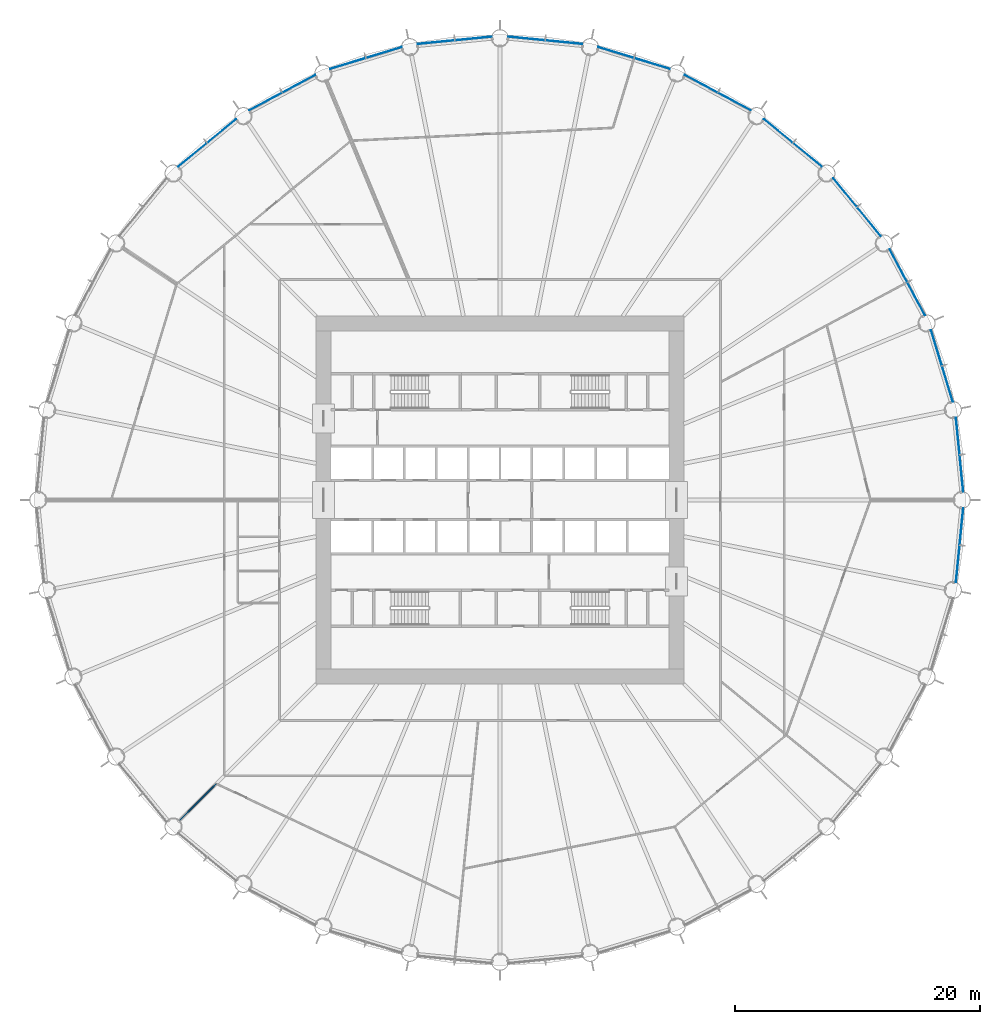
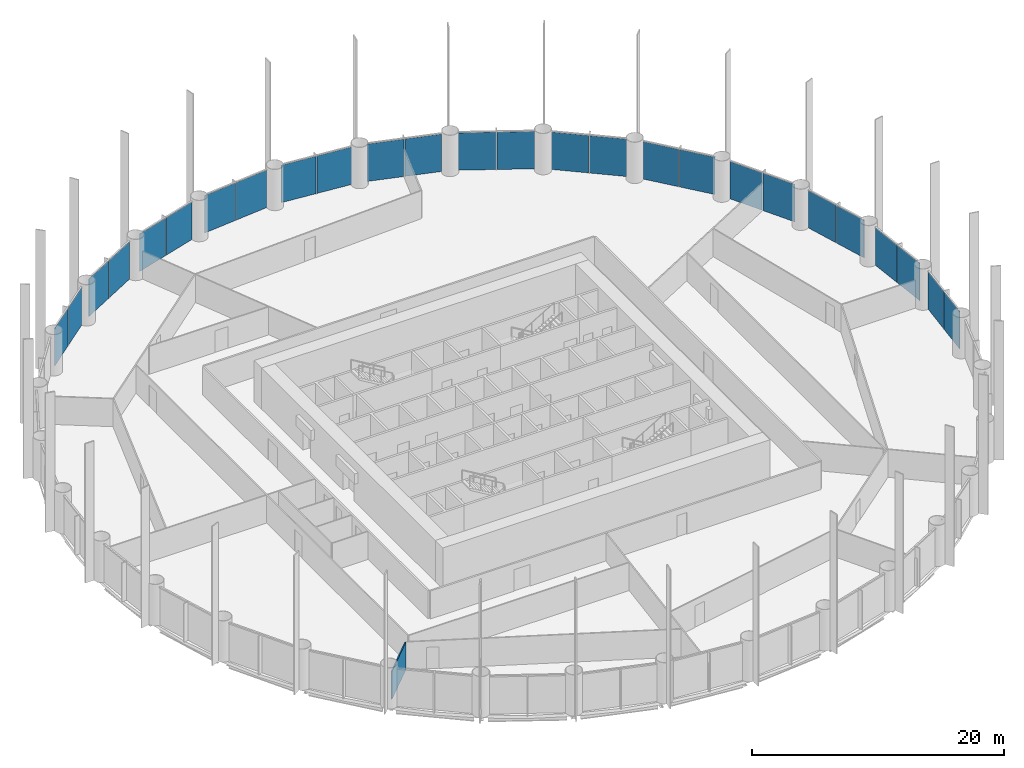
# One storey, part 8 of 14: 26 plates, 1 wall, 13 elements without a shape of their own.
"""IFC4 building model written with IfcOpenShell, lengths in metres."""

from ifc_helpers import new_model, si_unit, direction, frame, frame_2d, origin, origin_2d, place, context, subcontext, project, spatial, rectangle, extrude, material, layer, layer_set, type_object, element, aggregate, save


model = new_model("IFC4")

# Units and contexts
model_context = context("Model", 3, precision=1e-05, world=origin(), true_north=direction((0.0, 1.0)))
body_context = subcontext(model_context, "Body", "Model", "MODEL_VIEW")
ifc_project = project(units=[si_unit("LENGTHUNIT", "METRE"), si_unit("AREAUNIT", "SQUARE_METRE"), si_unit("VOLUMEUNIT", "CUBIC_METRE"), si_unit("PLANEANGLEUNIT", "RADIAN"), si_unit("MASSUNIT", "GRAM", prefix="KILO")], contexts=[model_context])

# Site, building, storey
site_placement = place(None, origin())
site = spatial("IfcSite", under=ifc_project, at=site_placement, CompositionType="ELEMENT")
building_placement = place(site_placement, origin())
building = spatial("IfcBuilding", under=site, at=building_placement, Name="Corvane Civic Tower", CompositionType="ELEMENT")
storey_placement = place(building_placement, frame((0.0, 0.0, 77.0)))
storey = spatial("IfcBuildingStorey", under=building, at=storey_placement, Name="L17", CompositionType="ELEMENT", Elevation=77.0)

# Curtain wall, plates
ifc_material_1 = material(Name="Anodised aluminium bronze", Category="aluminium")
curtain_wall_type = type_object("IfcCurtainWallType", Name="TOWER CW-T1 STICK CURTAIN WALL", PredefinedType="NOTDEFINED", material=ifc_material_1)
curtain_wall_1_placement = place(storey_placement, origin())
curtain_wall_1 = element("IfcCurtainWall", 1, at=curtain_wall_1_placement, inside=storey, type_object=curtain_wall_type, Name="Curtain wall CW-T1 L17 bay 01", PredefinedType="NOTDEFINED")
ifc_material_2 = material(Name="Tinted glass", Category="glass")
ifc_layer_1 = layer(ifc_material_2, 0.035888671875)
ifc_layer_set_1 = layer_set([ifc_layer_1], Name="Tinted glass")
plate_type = type_object("IfcPlateType", Name="TOWER CW-T1 PANEL IGU36", PredefinedType="CURTAIN_PANEL", material=ifc_layer_set_1)
plate_1_placement = place(storey_placement, frame((2.158203125, 37.667236328125, 0.0), z_axis=(0.0, 0.0, 1.0), x_axis=(0.995185800248, -0.098006239521, 0.0)))
plate_1 = element("IfcPlate", 2, at=plate_1_placement, type_object=plate_type, Name="Glass panel CW-T1 L17 01.1", PredefinedType="CURTAIN_PANEL", context=body_context, shape_type="SweptSolid", body=[
    extrude(rectangle(XDim=3.008544921875, YDim=0.035888671875, at=origin_2d()), origin(), (0.0, 0.0, 1.0), 3.6298828125),
])
plate_2_placement = place(storey_placement, frame((5.23193359375, 37.36474609375, 0.0), z_axis=(0.0, 0.0, 1.0), x_axis=(0.995185800248, -0.098006239521, 0.0)))
plate_2 = element("IfcPlate", 3, at=plate_2_placement, type_object=plate_type, Name="Glass panel CW-T1 L17 01.2", PredefinedType="CURTAIN_PANEL", context=body_context, shape_type="SweptSolid", body=[
    extrude(rectangle(XDim=3.008544921875, YDim=0.035888671875, at=origin_2d()), origin(), (0.0, 0.0, 1.0), 3.6298828125),
])
aggregate(curtain_wall_1, [plate_1, plate_2])

curtain_wall_2_placement = place(storey_placement, origin())
curtain_wall_2 = element("IfcCurtainWall", 4, at=curtain_wall_2_placement, inside=storey, type_object=curtain_wall_type, Name="Curtain wall CW-T1 L17 bay 02", PredefinedType="NOTDEFINED")
plate_3_placement = place(storey_placement, frame((9.46533203125, 36.522705078125, 0.0), z_axis=(0.0, 0.0, 1.0), x_axis=(0.956942240606, -0.290278397654, 0.0)))
plate_3 = element("IfcPlate", 5, at=plate_3_placement, type_object=plate_type, Name="Glass panel CW-T1 L17 02.1", PredefinedType="CURTAIN_PANEL", context=body_context, shape_type="SweptSolid", body=[
    extrude(rectangle(XDim=3.008544921875, YDim=0.035888671875, at=origin_2d()), origin(), (0.0, 0.0, 1.0), 3.6298828125),
])
plate_4_placement = place(storey_placement, frame((12.4208984375, 35.6259765625, 0.0), z_axis=(0.0, 0.0, 1.0), x_axis=(0.956942240606, -0.290278397654, 0.0)))
plate_4 = element("IfcPlate", 6, at=plate_4_placement, type_object=plate_type, Name="Glass panel CW-T1 L17 02.2", PredefinedType="CURTAIN_PANEL", context=body_context, shape_type="SweptSolid", body=[
    extrude(rectangle(XDim=3.008544921875, YDim=0.035888671875, at=origin_2d()), origin(), (0.0, 0.0, 1.0), 3.6298828125),
])
aggregate(curtain_wall_2, [plate_3, plate_4])

curtain_wall_3_placement = place(storey_placement, origin())
curtain_wall_3 = element("IfcCurtainWall", 7, at=curtain_wall_3_placement, inside=storey, type_object=curtain_wall_type, Name="Curtain wall CW-T1 L17 bay 03", PredefinedType="NOTDEFINED")
plate_5_placement = place(storey_placement, frame((16.40869140625, 33.974365234375, 0.0), z_axis=(0.0, 0.0, 1.0), x_axis=(0.881917528864, -0.471403725359, 0.0)))
plate_5 = element("IfcPlate", 8, at=plate_5_placement, type_object=plate_type, Name="Glass panel CW-T1 L17 03.1", PredefinedType="CURTAIN_PANEL", context=body_context, shape_type="SweptSolid", body=[
    extrude(rectangle(XDim=3.008544921875, YDim=0.035888671875, at=origin_2d()), origin(), (0.0, 0.0, 1.0), 3.6298828125),
])
plate_6_placement = place(storey_placement, frame((19.132568359375, 32.518310546875, 0.0), z_axis=(0.0, 0.0, 1.0), x_axis=(0.881917528864, -0.471403725359, 0.0)))
plate_6 = element("IfcPlate", 9, at=plate_6_placement, type_object=plate_type, Name="Glass panel CW-T1 L17 03.2", PredefinedType="CURTAIN_PANEL", context=body_context, shape_type="SweptSolid", body=[
    extrude(rectangle(XDim=3.008544921875, YDim=0.035888671875, at=origin_2d()), origin(), (0.0, 0.0, 1.0), 3.6298828125),
])
aggregate(curtain_wall_3, [plate_5, plate_6])

curtain_wall_4_placement = place(storey_placement, origin())
curtain_wall_4 = element("IfcCurtainWall", 10, at=curtain_wall_4_placement, inside=storey, type_object=curtain_wall_type, Name="Curtain wall CW-T1 L17 bay 04", PredefinedType="NOTDEFINED")
plate_7_placement = place(storey_placement, frame((22.721435546875, 30.120361328125, 0.0), z_axis=(0.0, 0.0, 1.0), x_axis=(0.773007224463, -0.634397218569, 0.0)))
plate_7 = element("IfcPlate", 11, at=plate_7_placement, type_object=plate_type, Name="Glass panel CW-T1 L17 04.1", PredefinedType="CURTAIN_PANEL", context=body_context, shape_type="SweptSolid", body=[
    extrude(rectangle(XDim=3.008544921875, YDim=0.035888671875, at=origin_2d()), origin(), (0.0, 0.0, 1.0), 3.6298828125),
])
plate_8_placement = place(storey_placement, frame((25.10888671875, 28.160888671875, 0.0), z_axis=(0.0, 0.0, 1.0), x_axis=(0.773007224463, -0.634397218569, 0.0)))
plate_8 = element("IfcPlate", 12, at=plate_8_placement, type_object=plate_type, Name="Glass panel CW-T1 L17 04.2", PredefinedType="CURTAIN_PANEL", context=body_context, shape_type="SweptSolid", body=[
    extrude(rectangle(XDim=3.008544921875, YDim=0.035888671875, at=origin_2d()), origin(), (0.0, 0.0, 1.0), 3.6298828125),
])
aggregate(curtain_wall_4, [plate_7, plate_8])

curtain_wall_5_placement = place(storey_placement, origin())
curtain_wall_5 = element("IfcCurtainWall", 13, at=curtain_wall_5_placement, inside=storey, type_object=curtain_wall_type, Name="Curtain wall CW-T1 L17 bay 05", PredefinedType="NOTDEFINED")
plate_9_placement = place(storey_placement, frame((28.160888671875, 25.10888671875, 0.0), z_axis=(0.0, 0.0, 1.0), x_axis=(0.634397218569, -0.773007224463, 0.0)))
plate_9 = element("IfcPlate", 14, at=plate_9_placement, type_object=plate_type, Name="Glass panel CW-T1 L17 05.1", PredefinedType="CURTAIN_PANEL", context=body_context, shape_type="SweptSolid", body=[
    extrude(rectangle(XDim=3.008544921875, YDim=0.035888671875, at=origin_2d()), origin(), (0.0, 0.0, 1.0), 3.6298828125),
])
plate_10_placement = place(storey_placement, frame((30.120361328125, 22.721435546875, 0.0), z_axis=(0.0, 0.0, 1.0), x_axis=(0.634397218569, -0.773007224463, 0.0)))
plate_10 = element("IfcPlate", 15, at=plate_10_placement, type_object=plate_type, Name="Glass panel CW-T1 L17 05.2", PredefinedType="CURTAIN_PANEL", context=body_context, shape_type="SweptSolid", body=[
    extrude(rectangle(XDim=3.008544921875, YDim=0.035888671875, at=origin_2d()), origin(), (0.0, 0.0, 1.0), 3.6298828125),
])
aggregate(curtain_wall_5, [plate_9, plate_10])

curtain_wall_6_placement = place(storey_placement, origin())
curtain_wall_6 = element("IfcCurtainWall", 16, at=curtain_wall_6_placement, inside=storey, type_object=curtain_wall_type, Name="Curtain wall CW-T1 L17 bay 06", PredefinedType="NOTDEFINED")
plate_11_placement = place(storey_placement, frame((32.518310546875, 19.132568359375, 0.0), z_axis=(0.0, 0.0, 1.0), x_axis=(0.471403725359, -0.881917528864, 0.0)))
plate_11 = element("IfcPlate", 17, at=plate_11_placement, type_object=plate_type, Name="Glass panel CW-T1 L17 06.1", PredefinedType="CURTAIN_PANEL", context=body_context, shape_type="SweptSolid", body=[
    extrude(rectangle(XDim=3.008544921875, YDim=0.035888671875, at=origin_2d()), origin(), (0.0, 0.0, 1.0), 3.6298828125),
])
plate_12_placement = place(storey_placement, frame((33.974365234375, 16.40869140625, 0.0), z_axis=(0.0, 0.0, 1.0), x_axis=(0.471403725359, -0.881917528864, 0.0)))
plate_12 = element("IfcPlate", 18, at=plate_12_placement, type_object=plate_type, Name="Glass panel CW-T1 L17 06.2", PredefinedType="CURTAIN_PANEL", context=body_context, shape_type="SweptSolid", body=[
    extrude(rectangle(XDim=3.008544921875, YDim=0.035888671875, at=origin_2d()), origin(), (0.0, 0.0, 1.0), 3.6298828125),
])
aggregate(curtain_wall_6, [plate_11, plate_12])

curtain_wall_7_placement = place(storey_placement, origin())
curtain_wall_7 = element("IfcCurtainWall", 19, at=curtain_wall_7_placement, inside=storey, type_object=curtain_wall_type, Name="Curtain wall CW-T1 L17 bay 07", PredefinedType="NOTDEFINED")
plate_13_placement = place(storey_placement, frame((35.6259765625, 12.4208984375, 0.0), z_axis=(0.0, 0.0, 1.0), x_axis=(0.290278397654, -0.956942240606, 0.0)))
plate_13 = element("IfcPlate", 20, at=plate_13_placement, type_object=plate_type, Name="Glass panel CW-T1 L17 07.1", PredefinedType="CURTAIN_PANEL", context=body_context, shape_type="SweptSolid", body=[
    extrude(rectangle(XDim=3.008544921875, YDim=0.035888671875, at=origin_2d()), origin(), (0.0, 0.0, 1.0), 3.6298828125),
])
plate_14_placement = place(storey_placement, frame((36.522705078125, 9.46533203125, 0.0), z_axis=(0.0, 0.0, 1.0), x_axis=(0.290278397654, -0.956942240606, 0.0)))
plate_14 = element("IfcPlate", 21, at=plate_14_placement, type_object=plate_type, Name="Glass panel CW-T1 L17 07.2", PredefinedType="CURTAIN_PANEL", context=body_context, shape_type="SweptSolid", body=[
    extrude(rectangle(XDim=3.008544921875, YDim=0.035888671875, at=origin_2d()), origin(), (0.0, 0.0, 1.0), 3.6298828125),
])
aggregate(curtain_wall_7, [plate_13, plate_14])

curtain_wall_8_placement = place(storey_placement, origin())
curtain_wall_8 = element("IfcCurtainWall", 22, at=curtain_wall_8_placement, inside=storey, type_object=curtain_wall_type, Name="Curtain wall CW-T1 L17 bay 08", PredefinedType="NOTDEFINED")
plate_15_placement = place(storey_placement, frame((37.36474609375, 5.23193359375, 0.0), z_axis=(0.0, 0.0, 1.0), x_axis=(0.098006239521, -0.995185800248, 0.0)))
plate_15 = element("IfcPlate", 23, at=plate_15_placement, type_object=plate_type, Name="Glass panel CW-T1 L17 08.1", PredefinedType="CURTAIN_PANEL", context=body_context, shape_type="SweptSolid", body=[
    extrude(rectangle(XDim=3.008544921875, YDim=0.035888671875, at=origin_2d()), origin(), (0.0, 0.0, 1.0), 3.6298828125),
])
plate_16_placement = place(storey_placement, frame((37.667236328125, 2.158203125, 0.0), z_axis=(0.0, 0.0, 1.0), x_axis=(0.098006239521, -0.995185800248, 0.0)))
plate_16 = element("IfcPlate", 24, at=plate_16_placement, type_object=plate_type, Name="Glass panel CW-T1 L17 08.2", PredefinedType="CURTAIN_PANEL", context=body_context, shape_type="SweptSolid", body=[
    extrude(rectangle(XDim=3.008544921875, YDim=0.035888671875, at=origin_2d()), origin(), (0.0, 0.0, 1.0), 3.6298828125),
])
aggregate(curtain_wall_8, [plate_15, plate_16])

curtain_wall_9_placement = place(storey_placement, origin())
curtain_wall_9 = element("IfcCurtainWall", 25, at=curtain_wall_9_placement, inside=storey, type_object=curtain_wall_type, Name="Curtain wall CW-T1 L17 bay 09", PredefinedType="NOTDEFINED")
plate_17_placement = place(storey_placement, frame((37.667236328125, -2.158203125, 0.0), z_axis=(0.0, 0.0, 1.0), x_axis=(-0.098006239521, -0.995185800248, 0.0)))
plate_17 = element("IfcPlate", 26, at=plate_17_placement, type_object=plate_type, Name="Glass panel CW-T1 L17 09.1", PredefinedType="CURTAIN_PANEL", context=body_context, shape_type="SweptSolid", body=[
    extrude(rectangle(XDim=3.008544921875, YDim=0.035888671875, at=origin_2d()), origin(), (0.0, 0.0, 1.0), 3.6298828125),
])
plate_18_placement = place(storey_placement, frame((37.36474609375, -5.23193359375, 0.0), z_axis=(0.0, 0.0, 1.0), x_axis=(-0.098006239521, -0.995185800248, 0.0)))
plate_18 = element("IfcPlate", 27, at=plate_18_placement, type_object=plate_type, Name="Glass panel CW-T1 L17 09.2", PredefinedType="CURTAIN_PANEL", context=body_context, shape_type="SweptSolid", body=[
    extrude(rectangle(XDim=3.008544921875, YDim=0.035888671875, at=origin_2d()), origin(), (0.0, 0.0, 1.0), 3.6298828125),
])
aggregate(curtain_wall_9, [plate_17, plate_18])

curtain_wall_10_placement = place(storey_placement, origin())
curtain_wall_10 = element("IfcCurtainWall", 28, at=curtain_wall_10_placement, inside=storey, type_object=curtain_wall_type, Name="Curtain wall CW-T1 L17 bay 29", PredefinedType="NOTDEFINED")
plate_19_placement = place(storey_placement, frame((-25.10888671875, 28.160888671875, 0.0), z_axis=(0.0, 0.0, 1.0), x_axis=(0.773007224463, 0.634397218569, 0.0)))
plate_19 = element("IfcPlate", 29, at=plate_19_placement, type_object=plate_type, Name="Glass panel CW-T1 L17 29.1", PredefinedType="CURTAIN_PANEL", context=body_context, shape_type="SweptSolid", body=[
    extrude(rectangle(XDim=3.008544921875, YDim=0.035888671875, at=origin_2d()), origin(), (0.0, 0.0, 1.0), 3.6298828125),
])
plate_20_placement = place(storey_placement, frame((-22.721435546875, 30.120361328125, 0.0), z_axis=(0.0, 0.0, 1.0), x_axis=(0.773007224463, 0.634397218569, 0.0)))
plate_20 = element("IfcPlate", 30, at=plate_20_placement, type_object=plate_type, Name="Glass panel CW-T1 L17 29.2", PredefinedType="CURTAIN_PANEL", context=body_context, shape_type="SweptSolid", body=[
    extrude(rectangle(XDim=3.008544921875, YDim=0.035888671875, at=origin_2d()), origin(), (0.0, 0.0, 1.0), 3.6298828125),
])
aggregate(curtain_wall_10, [plate_19, plate_20])

curtain_wall_11_placement = place(storey_placement, origin())
curtain_wall_11 = element("IfcCurtainWall", 31, at=curtain_wall_11_placement, inside=storey, type_object=curtain_wall_type, Name="Curtain wall CW-T1 L17 bay 30", PredefinedType="NOTDEFINED")
plate_21_placement = place(storey_placement, frame((-19.132568359375, 32.518310546875, 0.0), z_axis=(0.0, 0.0, 1.0), x_axis=(0.881917528864, 0.471403725359, 0.0)))
plate_21 = element("IfcPlate", 32, at=plate_21_placement, type_object=plate_type, Name="Glass panel CW-T1 L17 30.1", PredefinedType="CURTAIN_PANEL", context=body_context, shape_type="SweptSolid", body=[
    extrude(rectangle(XDim=3.008544921875, YDim=0.035888671875, at=origin_2d()), origin(), (0.0, 0.0, 1.0), 3.6298828125),
])
plate_22_placement = place(storey_placement, frame((-16.40869140625, 33.974365234375, 0.0), z_axis=(0.0, 0.0, 1.0), x_axis=(0.881917528864, 0.471403725359, 0.0)))
plate_22 = element("IfcPlate", 33, at=plate_22_placement, type_object=plate_type, Name="Glass panel CW-T1 L17 30.2", PredefinedType="CURTAIN_PANEL", context=body_context, shape_type="SweptSolid", body=[
    extrude(rectangle(XDim=3.008544921875, YDim=0.035888671875, at=origin_2d()), origin(), (0.0, 0.0, 1.0), 3.6298828125),
])
aggregate(curtain_wall_11, [plate_21, plate_22])

curtain_wall_12_placement = place(storey_placement, origin())
curtain_wall_12 = element("IfcCurtainWall", 34, at=curtain_wall_12_placement, inside=storey, type_object=curtain_wall_type, Name="Curtain wall CW-T1 L17 bay 31", PredefinedType="NOTDEFINED")
plate_23_placement = place(storey_placement, frame((-12.4208984375, 35.6259765625, 0.0), z_axis=(0.0, 0.0, 1.0), x_axis=(0.956942240606, 0.290278397654, 0.0)))
plate_23 = element("IfcPlate", 35, at=plate_23_placement, type_object=plate_type, Name="Glass panel CW-T1 L17 31.1", PredefinedType="CURTAIN_PANEL", context=body_context, shape_type="SweptSolid", body=[
    extrude(rectangle(XDim=3.008544921875, YDim=0.035888671875, at=origin_2d()), origin(), (0.0, 0.0, 1.0), 3.6298828125),
])
plate_24_placement = place(storey_placement, frame((-9.46533203125, 36.522705078125, 0.0), z_axis=(0.0, 0.0, 1.0), x_axis=(0.956942240606, 0.290278397654, 0.0)))
plate_24 = element("IfcPlate", 36, at=plate_24_placement, type_object=plate_type, Name="Glass panel CW-T1 L17 31.2", PredefinedType="CURTAIN_PANEL", context=body_context, shape_type="SweptSolid", body=[
    extrude(rectangle(XDim=3.008544921875, YDim=0.035888671875, at=origin_2d()), origin(), (0.0, 0.0, 1.0), 3.6298828125),
])
aggregate(curtain_wall_12, [plate_23, plate_24])

curtain_wall_13_placement = place(storey_placement, origin())
curtain_wall_13 = element("IfcCurtainWall", 37, at=curtain_wall_13_placement, inside=storey, type_object=curtain_wall_type, Name="Curtain wall CW-T1 L17 bay 32", PredefinedType="NOTDEFINED")
plate_25_placement = place(storey_placement, frame((-5.23193359375, 37.36474609375, 0.0), z_axis=(0.0, 0.0, 1.0), x_axis=(0.995185800248, 0.098006239521, 0.0)))
plate_25 = element("IfcPlate", 38, at=plate_25_placement, type_object=plate_type, Name="Glass panel CW-T1 L17 32.1", PredefinedType="CURTAIN_PANEL", context=body_context, shape_type="SweptSolid", body=[
    extrude(rectangle(XDim=3.008544921875, YDim=0.035888671875, at=origin_2d()), origin(), (0.0, 0.0, 1.0), 3.6298828125),
])
plate_26_placement = place(storey_placement, frame((-2.158203125, 37.667236328125, 0.0), z_axis=(0.0, 0.0, 1.0), x_axis=(0.995185800248, 0.098006239521, 0.0)))
plate_26 = element("IfcPlate", 39, at=plate_26_placement, type_object=plate_type, Name="Glass panel CW-T1 L17 32.2", PredefinedType="CURTAIN_PANEL", context=body_context, shape_type="SweptSolid", body=[
    extrude(rectangle(XDim=3.008544921875, YDim=0.035888671875, at=origin_2d()), origin(), (0.0, 0.0, 1.0), 3.6298828125),
])
aggregate(curtain_wall_13, [plate_25, plate_26])

# Wall
ifc_material_3 = material(Name="Plasterboard")
ifc_layer_2 = layer(ifc_material_3, 0.10009765625)
ifc_layer_set_2 = layer_set([ifc_layer_2], Name="Plasterboard")
wall_type = type_object("IfcWallType", Name="Partition 100 plasterboard on studs", PredefinedType="PARTITIONING", material=ifc_layer_set_2)
wall_placement = place(storey_placement, frame((-26.156005859375, -26.156005859375, 0.0), z_axis=(0.0, 0.0, 1.0), x_axis=(0.707106781187, 0.707106781187, 0.0)))
element("IfcWall", 40, at=wall_placement, inside=storey, type_object=wall_type, Name="Partition L17.006", PredefinedType="PARTITIONING", context=body_context, shape_type="SweptSolid", body=[
    extrude(rectangle(XDim=4.2109375, YDim=0.10009765625, at=frame_2d((2.10546875, 0.0))), origin(), (0.0, 0.0, 1.0), 2.699951171875),
])

save(model, "model.ifc")
